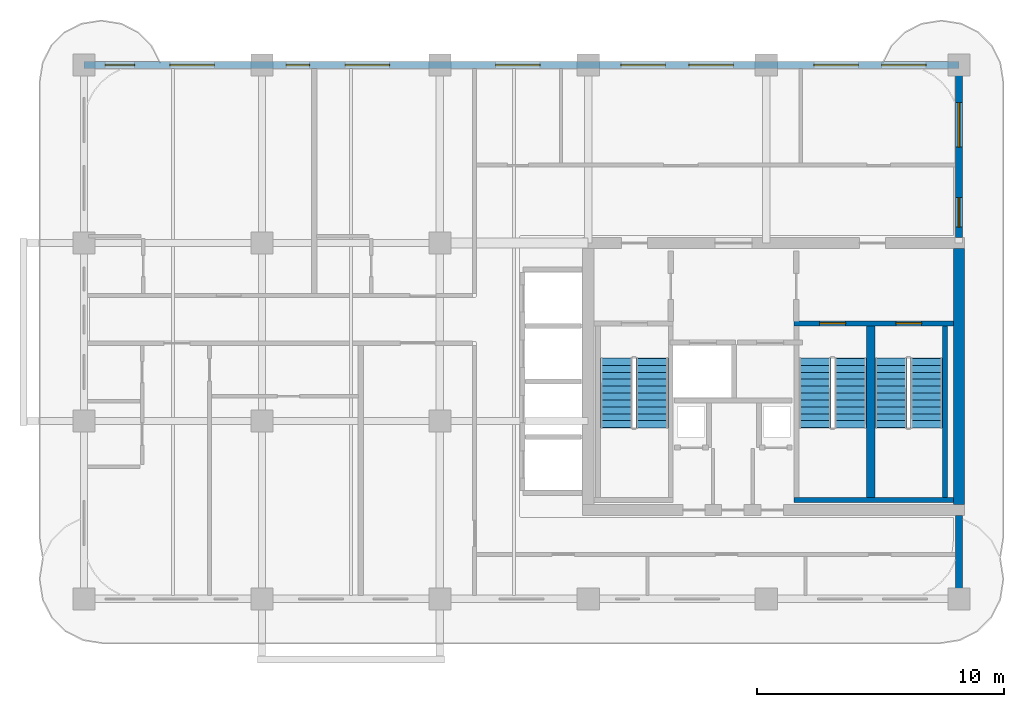
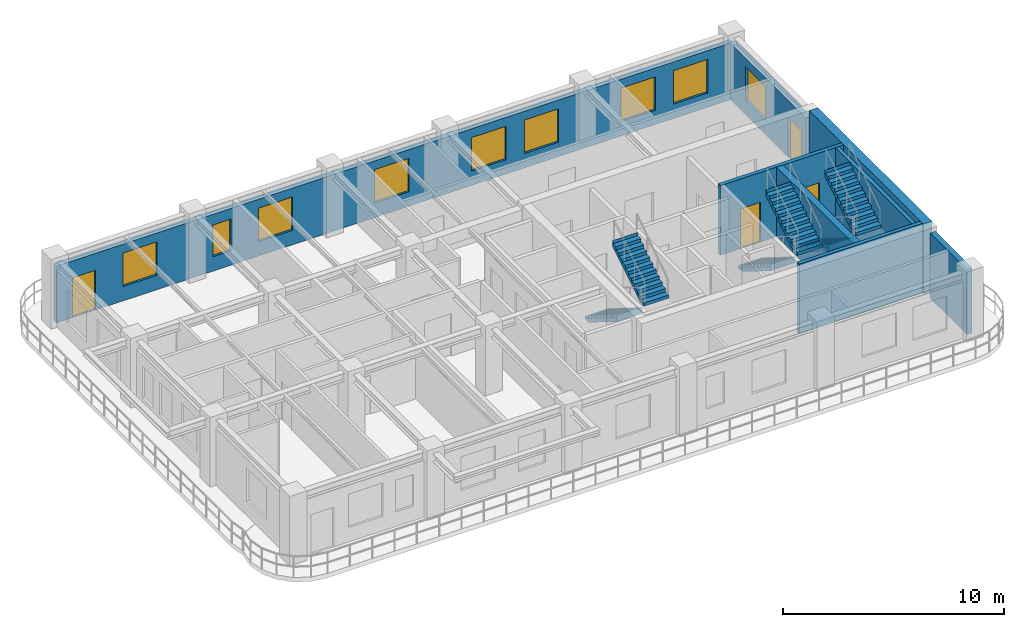
# One storey, part 5 of 7: 9 windows, 8 walls, 6 stair flights, 4 doors, 13 openings, 3 elements without a shape of their own.
"""IFC4 building model written with IfcOpenShell, lengths in metres."""

from ifc_helpers import new_model, si_unit, derived_unit, direction, frame, frame_2d, origin, place, context, subcontext, project, spatial, polyline, rectangle, outline, extrude, source, transform, mapped, material, layer, layer_set, type_object, type_shapes, element, fill, aggregate, save


model = new_model("IFC4")

# Units and contexts
model_context = context("Model", 3, precision=1e-05, world=origin(), true_north=direction((0.0, 1.0)))
body_context = subcontext(model_context, "Body", "Model", "MODEL_VIEW")
ifc_project = project(units=[si_unit("LENGTHUNIT", "METRE"), si_unit("AREAUNIT", "SQUARE_METRE"), si_unit("VOLUMEUNIT", "CUBIC_METRE"), si_unit("PLANEANGLEUNIT", "RADIAN"), si_unit("MASSUNIT", "GRAM", prefix="KILO"), si_unit("THERMODYNAMICTEMPERATUREUNIT", "KELVIN"), si_unit("POWERUNIT", "WATT"), derived_unit("THERMALTRANSMITTANCEUNIT", [(si_unit("POWERUNIT", "WATT"), 1), (si_unit("AREAUNIT", "SQUARE_METRE"), -1), (si_unit("THERMODYNAMICTEMPERATUREUNIT", "KELVIN"), -1)])], contexts=[model_context])

# Site, building, storey
site_placement = place(None, origin())
site = spatial("IfcSite", under=ifc_project, at=site_placement, CompositionType="ELEMENT")
building_placement = place(site_placement, origin())
building = spatial("IfcBuilding", under=site, at=building_placement, Name="Zahravan Archway Hotel and Residences", CompositionType="ELEMENT")
storey_placement = place(building_placement, frame((0.0, 0.0, 236.550048828125)))
storey = spatial("IfcBuildingStorey", under=building, at=storey_placement, Name="L59", CompositionType="ELEMENT", Elevation=236.550048828125)

# Walls
ifc_material_1 = material(Name="Concrete C50/60", Category="concrete")
ifc_layer_1 = layer(ifc_material_1, 0.449951171875, Name="Concrete C50/60", Category="concrete")
ifc_layer_set_1 = layer_set([ifc_layer_1], Name="Concrete C50/60")
wall_type_1 = type_object("IfcWallType", Name="CW-CORE-450", PredefinedType="SHEAR", material=ifc_layer_set_1)
wall_1_placement = place(storey_placement, frame((49.800048828125, 3.824951171875, 0.0), z_axis=(0.0, 0.0, 1.0), x_axis=(0.0, 1.0, 0.0)))
element("IfcWall", 1, at=wall_1_placement, inside=storey, type_object=wall_type_1, Name="L59 Core A Shear E Wall 450 mm", PredefinedType="SHEAR", context=body_context, shape_type="SweptSolid", body=[
    extrude(rectangle(XDim=10.35009765625, YDim=0.449951171875, at=frame_2d((5.175048828125, 0.0))), origin(), (0.0, 0.0, 1.0), 3.849853515625),
])
ifc_material_2 = material(Name="Honed Red-Ochre Sandstone & Insulated Block", Category="masonry")
ifc_layer_2 = layer(ifc_material_2, 0.280029296875, Name="Honed Red-Ochre Sandstone & Insulated Block", Category="masonry")
ifc_layer_set_2 = layer_set([ifc_layer_2], Name="Honed Red-Ochre Sandstone & Insulated Block")
wall_type_2 = type_object("IfcWallType", Name="EW-LOG-280", PredefinedType="SOLIDWALL", material=ifc_layer_set_2)
wall_2_placement = place(storey_placement, frame((49.800048828125, 0.050048828125, 0.0), z_axis=(0.0, 0.0, 1.0), x_axis=(0.0, 1.0, 0.0)))
element("IfcWall", 2, at=wall_2_placement, inside=storey, type_object=wall_type_2, Name="L59 Exterior Sandstone Wall WA-ES", PredefinedType="SOLIDWALL", context=body_context, shape_type="SweptSolid", body=[
    extrude(rectangle(XDim=3.329833984375, YDim=0.280029296875, at=frame_2d((1.6650390625, 0.0))), origin(), (0.0, 0.0, 1.0), 3.599853515625),
])

# Wall, openings, door, window
wall_3_placement = place(storey_placement, frame((49.800048828125, 14.6201171875, 0.0), z_axis=(0.0, 0.0, 1.0), x_axis=(0.0, 1.0, 0.0)))
wall_3 = element("IfcWall", 3, at=wall_3_placement, inside=storey, type_object=wall_type_2, Name="L59 Exterior Sandstone Wall WA-EN", PredefinedType="SOLIDWALL", context=body_context, shape_type="SweptSolid", body=[
    extrude(rectangle(XDim=6.929931640625, YDim=0.280029296875, at=frame_2d((3.46484375, 0.0))), origin(), (0.0, 0.0, 1.0), 3.135009765625),
])
opening_1_placement = place(wall_3_placement, frame((0.419921875, 0.0, 0.0)))
opening_1 = element("IfcOpeningElement", 4, at=opening_1_placement, cuts=wall_3, Name="Opening ED-BL1", PredefinedType="OPENING", context=body_context, shape_type="SweptSolid", body=[
    extrude(rectangle(XDim=1.199951171875, YDim=2.199951171875, at=frame_2d((0.60009765625, 1.10009765625))), frame((0.0, 0.14990234375, 0.0), z_axis=(0.0, -1.0, 0.0), x_axis=(1.0, 0.0, 0.0)), (0.0, 0.0, 1.0), 0.300048828125),
])
opening_2_placement = place(wall_3_placement, frame((3.658935546875, 0.0, 0.800048828125)))
opening_2 = element("IfcOpeningElement", 5, at=opening_2_placement, cuts=wall_3, Name="Opening W-02", PredefinedType="OPENING", context=body_context, shape_type="SweptSolid", body=[
    extrude(rectangle(XDim=1.800048828125, YDim=1.85009765625, at=frame_2d((0.89990234375, 0.925048828125))), frame((0.0, 0.14990234375, 0.0), z_axis=(0.0, -1.0, 0.0), x_axis=(1.0, 0.0, 0.0)), (0.0, 0.0, 1.0), 0.300048828125),
])
ifc_material_3 = material(Name="Bronze-Anodized Glazed Aluminium", Category="aluminium")
door_type_1 = type_object("IfcDoorType", Name="ED-BALC-1200", OperationType="SLIDING_TO_LEFT", PredefinedType="DOOR", material=ifc_material_3)
shared_shape_1 = source(origin(), body_context, "Body", "SweptSolid", [
    extrude(rectangle(XDim=1.199951171875, YDim=2.199951171875, at=frame_2d((0.60009765625, 1.10009765625))), frame((0.0, 0.02490234375, 0.0), z_axis=(0.0, -1.0, 0.0), x_axis=(1.0, 0.0, 0.0)), (0.0, 0.0, 1.0), 0.050048828125),
])
type_shapes(door_type_1, [shared_shape_1])
door_1_placement = place(opening_1_placement, origin())
door_1 = element("IfcDoor", 6, at=door_1_placement, inside=storey, type_object=door_type_1, Name="L59 Outdoor Access Sliding Door (SLB-BAL-L59-EA)", OperationType="SLIDING_TO_LEFT", OverallHeight=2.199951171875, OverallWidth=1.199951171875, PredefinedType="DOOR", context=body_context, shape_type="MappedRepresentation", body=[
    mapped(shared_shape_1, transform((0.0, 0.0, 0.0), scale=1.0)),
])
fill(opening_1, door_1)
ifc_material_4 = material(Name="Bronze-Anodized Thermal-Break Aluminium & Low-E Glass", Category="aluminium")
window_type_1 = type_object("IfcWindowType", Name="WIN-TWR-1800", PartitioningType="DOUBLE_PANEL_VERTICAL", PredefinedType="WINDOW", material=ifc_material_4)
shared_shape_2 = source(origin(), body_context, "Body", "SweptSolid", [
    extrude(rectangle(XDim=1.800048828125, YDim=1.85009765625, at=frame_2d((0.89990234375, 0.925048828125))), frame((0.0, 0.030029296875, 0.0), z_axis=(0.0, -1.0, 0.0), x_axis=(1.0, 0.0, 0.0)), (0.0, 0.0, 1.0), 0.06005859375),
])
type_shapes(window_type_1, [shared_shape_2])
window_1_placement = place(opening_2_placement, origin())
window_1 = element("IfcWindow", 7, at=window_1_placement, inside=storey, type_object=window_type_1, Name="L59 Loggia Window 10", OverallHeight=1.85009765625, OverallWidth=1.800048828125, PartitioningType="DOUBLE_PANEL_VERTICAL", PredefinedType="WINDOW", context=body_context, shape_type="MappedRepresentation", body=[
    mapped(shared_shape_2, transform((0.0, 0.0, 0.0), scale=1.0)),
])
fill(opening_2, window_1)

# Wall, openings, door, windows
wall_4_placement = place(storey_placement, frame((14.39990234375, 21.60009765625, 0.0), z_axis=(0.0, 0.0, 1.0), x_axis=(1.0, 0.0, 0.0)))
wall_4 = element("IfcWall", 8, at=wall_4_placement, inside=storey, type_object=wall_type_2, Name="L59 Exterior Sandstone Wall WA-N", PredefinedType="SOLIDWALL", context=body_context, shape_type="SweptSolid", body=[
    extrude(rectangle(XDim=35.400146484375, YDim=0.280029296875, at=frame_2d((17.7001953125, 0.0))), origin(), (0.0, 0.0, 1.0), 3.135009765625),
])
opening_3_placement = place(wall_4_placement, frame((0.85009765625, 0.0, 0.0)))
opening_3 = element("IfcOpeningElement", 9, at=opening_3_placement, cuts=wall_4, Name="Opening ED-BL1", PredefinedType="OPENING", context=body_context, shape_type="SweptSolid", body=[
    extrude(rectangle(XDim=1.199951171875, YDim=2.199951171875, at=frame_2d((0.60009765625, 1.10009765625))), frame((0.0, 0.14990234375, 0.0), z_axis=(0.0, -1.0, 0.0), x_axis=(1.0, 0.0, 0.0)), (0.0, 0.0, 1.0), 0.300048828125),
])
opening_4_placement = place(wall_4_placement, frame((3.47509765625, 0.0, 0.800048828125)))
opening_4 = element("IfcOpeningElement", 10, at=opening_4_placement, cuts=wall_4, Name="Opening W-02", PredefinedType="OPENING", context=body_context, shape_type="SweptSolid", body=[
    extrude(rectangle(XDim=1.800048828125, YDim=1.85009765625, at=frame_2d((0.89990234375, 0.925048828125))), frame((0.0, 0.14990234375, 0.0), z_axis=(0.0, -1.0, 0.0), x_axis=(1.0, 0.0, 0.0)), (0.0, 0.0, 1.0), 0.300048828125),
])
opening_5_placement = place(wall_4_placement, frame((8.180908203125, 0.0, 0.800048828125)))
opening_5 = element("IfcOpeningElement", 11, at=opening_5_placement, cuts=wall_4, Name="Opening W-04", PredefinedType="OPENING", context=body_context, shape_type="SweptSolid", body=[
    extrude(rectangle(XDim=0.949951171875, YDim=1.75, at=frame_2d((0.47509765625, 0.875))), frame((0.0, 0.14990234375, 0.0), z_axis=(0.0, -1.0, 0.0), x_axis=(1.0, 0.0, 0.0)), (0.0, 0.0, 1.0), 0.300048828125),
])
opening_6_placement = place(wall_4_placement, frame((10.56396484375, 0.0, 0.800048828125)))
opening_6 = element("IfcOpeningElement", 12, at=opening_6_placement, cuts=wall_4, Name="Opening W-02", PredefinedType="OPENING", context=body_context, shape_type="SweptSolid", body=[
    extrude(rectangle(XDim=1.800048828125, YDim=1.85009765625, at=frame_2d((0.89990234375, 0.925048828125))), frame((0.0, 0.14990234375, 0.0), z_axis=(0.0, -1.0, 0.0), x_axis=(1.0, 0.0, 0.0)), (0.0, 0.0, 1.0), 0.300048828125),
])
opening_7_placement = place(wall_4_placement, frame((16.65087890625, 0.0, 0.800048828125)))
opening_7 = element("IfcOpeningElement", 13, at=opening_7_placement, cuts=wall_4, Name="Opening W-02", PredefinedType="OPENING", context=body_context, shape_type="SweptSolid", body=[
    extrude(rectangle(XDim=1.800048828125, YDim=1.85009765625, at=frame_2d((0.89990234375, 0.925048828125))), frame((0.0, 0.14990234375, 0.0), z_axis=(0.0, -1.0, 0.0), x_axis=(1.0, 0.0, 0.0)), (0.0, 0.0, 1.0), 0.300048828125),
])
opening_8_placement = place(wall_4_placement, frame((21.72509765625, 0.0, 0.800048828125)))
opening_8 = element("IfcOpeningElement", 14, at=opening_8_placement, cuts=wall_4, Name="Opening W-02", PredefinedType="OPENING", context=body_context, shape_type="SweptSolid", body=[
    extrude(rectangle(XDim=1.800048828125, YDim=1.85009765625, at=frame_2d((0.89990234375, 0.925048828125))), frame((0.0, 0.14990234375, 0.0), z_axis=(0.0, -1.0, 0.0), x_axis=(1.0, 0.0, 0.0)), (0.0, 0.0, 1.0), 0.300048828125),
])
opening_9_placement = place(wall_4_placement, frame((24.47509765625, 0.0, 0.800048828125)))
opening_9 = element("IfcOpeningElement", 15, at=opening_9_placement, cuts=wall_4, Name="Opening W-02", PredefinedType="OPENING", context=body_context, shape_type="SweptSolid", body=[
    extrude(rectangle(XDim=1.800048828125, YDim=1.85009765625, at=frame_2d((0.89990234375, 0.925048828125))), frame((0.0, 0.14990234375, 0.0), z_axis=(0.0, -1.0, 0.0), x_axis=(1.0, 0.0, 0.0)), (0.0, 0.0, 1.0), 0.300048828125),
])
opening_10_placement = place(wall_4_placement, frame((29.531005859375, 0.0, 0.800048828125)))
opening_10 = element("IfcOpeningElement", 16, at=opening_10_placement, cuts=wall_4, Name="Opening W-02", PredefinedType="OPENING", context=body_context, shape_type="SweptSolid", body=[
    extrude(rectangle(XDim=1.800048828125, YDim=1.85009765625, at=frame_2d((0.89990234375, 0.925048828125))), frame((0.0, 0.14990234375, 0.0), z_axis=(0.0, -1.0, 0.0), x_axis=(1.0, 0.0, 0.0)), (0.0, 0.0, 1.0), 0.300048828125),
])
opening_11_placement = place(wall_4_placement, frame((32.277099609375, 0.0, 0.800048828125)))
opening_11 = element("IfcOpeningElement", 17, at=opening_11_placement, cuts=wall_4, Name="Opening W-02", PredefinedType="OPENING", context=body_context, shape_type="SweptSolid", body=[
    extrude(rectangle(XDim=1.800048828125, YDim=1.85009765625, at=frame_2d((0.89990234375, 0.925048828125))), frame((0.0, 0.14990234375, 0.0), z_axis=(0.0, -1.0, 0.0), x_axis=(1.0, 0.0, 0.0)), (0.0, 0.0, 1.0), 0.300048828125),
])
door_2_placement = place(opening_3_placement, origin())
door_2 = element("IfcDoor", 18, at=door_2_placement, inside=storey, type_object=door_type_1, Name="L59 Outdoor Access Sliding Door (SLB-BAL-L59-WA)", OperationType="SLIDING_TO_LEFT", OverallHeight=2.199951171875, OverallWidth=1.199951171875, PredefinedType="DOOR", context=body_context, shape_type="MappedRepresentation", body=[
    mapped(shared_shape_1, transform((0.0, 0.0, 0.0), scale=1.0)),
])
fill(opening_3, door_2)
window_type_2 = type_object("IfcWindowType", Name="WIN-NAR-950", PartitioningType="SINGLE_PANEL", PredefinedType="WINDOW", material=ifc_material_4)
shared_shape_3 = source(origin(), body_context, "Body", "SweptSolid", [
    extrude(rectangle(XDim=0.949951171875, YDim=1.75, at=frame_2d((0.47509765625, 0.875))), frame((0.0, 0.030029296875, 0.0), z_axis=(0.0, -1.0, 0.0), x_axis=(1.0, 0.0, 0.0)), (0.0, 0.0, 1.0), 0.06005859375),
])
type_shapes(window_type_2, [shared_shape_3])
window_2_placement = place(opening_5_placement, origin())
window_2 = element("IfcWindow", 19, at=window_2_placement, inside=storey, type_object=window_type_2, Name="L59 Loggia Window 12", OverallHeight=1.75, OverallWidth=0.949951171875, PartitioningType="SINGLE_PANEL", PredefinedType="WINDOW", context=body_context, shape_type="MappedRepresentation", body=[
    mapped(shared_shape_3, transform((0.0, 0.0, 0.0), scale=1.0)),
])
fill(opening_5, window_2)
window_3_placement = place(opening_4_placement, origin())
window_3 = element("IfcWindow", 20, at=window_3_placement, inside=storey, type_object=window_type_1, Name="L59 Loggia Window 11", OverallHeight=1.85009765625, OverallWidth=1.800048828125, PartitioningType="DOUBLE_PANEL_VERTICAL", PredefinedType="WINDOW", context=body_context, shape_type="MappedRepresentation", body=[
    mapped(shared_shape_2, transform((0.0, 0.0, 0.0), scale=1.0)),
])
fill(opening_4, window_3)
window_4_placement = place(opening_6_placement, origin())
window_4 = element("IfcWindow", 21, at=window_4_placement, inside=storey, type_object=window_type_1, Name="L59 Loggia Window 13", OverallHeight=1.85009765625, OverallWidth=1.800048828125, PartitioningType="DOUBLE_PANEL_VERTICAL", PredefinedType="WINDOW", context=body_context, shape_type="MappedRepresentation", body=[
    mapped(shared_shape_2, transform((0.0, 0.0, 0.0), scale=1.0)),
])
fill(opening_6, window_4)
window_5_placement = place(opening_7_placement, origin())
window_5 = element("IfcWindow", 22, at=window_5_placement, inside=storey, type_object=window_type_1, Name="L59 Loggia Window 14", OverallHeight=1.85009765625, OverallWidth=1.800048828125, PartitioningType="DOUBLE_PANEL_VERTICAL", PredefinedType="WINDOW", context=body_context, shape_type="MappedRepresentation", body=[
    mapped(shared_shape_2, transform((0.0, 0.0, 0.0), scale=1.0)),
])
fill(opening_7, window_5)
window_6_placement = place(opening_8_placement, origin())
window_6 = element("IfcWindow", 23, at=window_6_placement, inside=storey, type_object=window_type_1, Name="L59 Loggia Window 15", OverallHeight=1.85009765625, OverallWidth=1.800048828125, PartitioningType="DOUBLE_PANEL_VERTICAL", PredefinedType="WINDOW", context=body_context, shape_type="MappedRepresentation", body=[
    mapped(shared_shape_2, transform((0.0, 0.0, 0.0), scale=1.0)),
])
fill(opening_8, window_6)
window_7_placement = place(opening_9_placement, origin())
window_7 = element("IfcWindow", 24, at=window_7_placement, inside=storey, type_object=window_type_1, Name="L59 Loggia Window 16", OverallHeight=1.85009765625, OverallWidth=1.800048828125, PartitioningType="DOUBLE_PANEL_VERTICAL", PredefinedType="WINDOW", context=body_context, shape_type="MappedRepresentation", body=[
    mapped(shared_shape_2, transform((0.0, 0.0, 0.0), scale=1.0)),
])
fill(opening_9, window_7)
window_8_placement = place(opening_10_placement, origin())
window_8 = element("IfcWindow", 25, at=window_8_placement, inside=storey, type_object=window_type_1, Name="L59 Loggia Window 17", OverallHeight=1.85009765625, OverallWidth=1.800048828125, PartitioningType="DOUBLE_PANEL_VERTICAL", PredefinedType="WINDOW", context=body_context, shape_type="MappedRepresentation", body=[
    mapped(shared_shape_2, transform((0.0, 0.0, 0.0), scale=1.0)),
])
fill(opening_10, window_8)
window_9_placement = place(opening_11_placement, origin())
window_9 = element("IfcWindow", 26, at=window_9_placement, inside=storey, type_object=window_type_1, Name="L59 Loggia Window 18", OverallHeight=1.85009765625, OverallWidth=1.800048828125, PartitioningType="DOUBLE_PANEL_VERTICAL", PredefinedType="WINDOW", context=body_context, shape_type="MappedRepresentation", body=[
    mapped(shared_shape_2, transform((0.0, 0.0, 0.0), scale=1.0)),
])
fill(opening_11, window_9)

# Walls
ifc_layer_3 = layer(ifc_material_1, 0.199951171875, Name="Concrete C50/60", Category="concrete")
ifc_layer_set_3 = layer_set([ifc_layer_3], Name="Concrete C50/60")
wall_type_3 = type_object("IfcWallType", Name="SW-STAIR-200", PredefinedType="SHEAR", material=ifc_layer_set_3)
wall_5_placement = place(storey_placement, frame((43.1201171875, 4.0, 0.0), z_axis=(0.0, 0.0, 1.0), x_axis=(1.0, 0.0, 0.0)))
element("IfcWall", 27, at=wall_5_placement, inside=storey, type_object=wall_type_3, Name="L59 Stairwell RC Wall CA-SA23S", PredefinedType="SHEAR", context=body_context, shape_type="SweptSolid", body=[
    extrude(rectangle(XDim=6.454833984375, YDim=0.199951171875, at=frame_2d((3.2275390625, 0.0))), origin(), (0.0, 0.0, 1.0), 3.849853515625),
])
wall_6_placement = place(storey_placement, frame((49.239990234375, 4.10009765625, 0.0), z_axis=(0.0, 0.0, 1.0), x_axis=(0.0, 1.0, 0.0)))
element("IfcWall", 28, at=wall_6_placement, inside=storey, type_object=wall_type_3, Name="L59 Stairwell RC Wall CA-SA3E", PredefinedType="SHEAR", context=body_context, shape_type="SweptSolid", body=[
    extrude(rectangle(XDim=6.949951171875, YDim=0.199951171875, at=frame_2d((3.47509765625, 0.0))), origin(), (0.0, 0.0, 1.0), 3.849853515625),
])

# Wall, openings, doors
wall_7_placement = place(storey_placement, frame((43.1201171875, 11.14990234375, 0.0), z_axis=(0.0, 0.0, 1.0), x_axis=(1.0, 0.0, 0.0)))
wall_7 = element("IfcWall", 29, at=wall_7_placement, inside=storey, type_object=wall_type_3, Name="L59 Stairwell RC Wall CA-SA23N", PredefinedType="SHEAR", context=body_context, shape_type="SweptSolid", body=[
    extrude(rectangle(XDim=6.454833984375, YDim=0.199951171875, at=frame_2d((3.2275390625, 0.0))), origin(), (0.0, 0.0, 1.0), 3.849853515625),
])
opening_12_placement = place(wall_7_placement, frame((1.044921875, 0.0, 0.0)))
opening_12 = element("IfcOpeningElement", 30, at=opening_12_placement, cuts=wall_7, Name="Opening FD-S1", PredefinedType="OPENING", context=body_context, shape_type="SweptSolid", body=[
    extrude(rectangle(XDim=1.050048828125, YDim=2.199951171875, at=frame_2d((0.52490234375, 1.10009765625))), frame((0.0, 0.10986328125, 0.0), z_axis=(0.0, -1.0, 0.0), x_axis=(1.0, 0.0, 0.0)), (0.0, 0.0, 1.0), 0.219970703125),
])
opening_13_placement = place(wall_7_placement, frame((4.125, 0.0, 0.0)))
opening_13 = element("IfcOpeningElement", 31, at=opening_13_placement, cuts=wall_7, Name="Opening FD-S1", PredefinedType="OPENING", context=body_context, shape_type="SweptSolid", body=[
    extrude(rectangle(XDim=1.050048828125, YDim=2.199951171875, at=frame_2d((0.52490234375, 1.10009765625))), frame((0.0, 0.10986328125, 0.0), z_axis=(0.0, -1.0, 0.0), x_axis=(1.0, 0.0, 0.0)), (0.0, 0.0, 1.0), 0.219970703125),
])
ifc_material_5 = material(Name="Fire-Rated Painted Steel", Category="steel")
door_type_2 = type_object("IfcDoorType", Name="FD-STAIR-1100", OperationType="NOTDEFINED", PredefinedType="DOOR", material=ifc_material_5)
shared_shape_4 = source(origin(), body_context, "Body", "SweptSolid", [
    extrude(rectangle(XDim=1.050048828125, YDim=2.199951171875, at=frame_2d((0.52490234375, 1.10009765625))), frame((0.0, 0.02490234375, 0.0), z_axis=(0.0, -1.0, 0.0), x_axis=(1.0, 0.0, 0.0)), (0.0, 0.0, 1.0), 0.050048828125),
])
type_shapes(door_type_2, [shared_shape_4])
door_3_placement = place(opening_12_placement, origin())
door_3 = element("IfcDoor", 32, at=door_3_placement, inside=storey, type_object=door_type_2, Name="L59 Stair ST-A2 Door", OperationType="SINGLE_SWING_LEFT", OverallHeight=2.199951171875, OverallWidth=1.050048828125, PredefinedType="DOOR", context=body_context, shape_type="MappedRepresentation", body=[
    mapped(shared_shape_4, transform((0.0, 0.0, 0.0), scale=1.0)),
])
fill(opening_12, door_3)
door_4_placement = place(opening_13_placement, origin())
door_4 = element("IfcDoor", 33, at=door_4_placement, inside=storey, type_object=door_type_2, Name="L59 Stair ST-A3 Door", OperationType="SINGLE_SWING_RIGHT", OverallHeight=2.199951171875, OverallWidth=1.050048828125, PredefinedType="DOOR", context=body_context, shape_type="MappedRepresentation", body=[
    mapped(shared_shape_4, transform((0.0, 0.0, 0.0), scale=1.0)),
])
fill(opening_13, door_4)

# Wall
ifc_layer_4 = layer(ifc_material_1, 0.340087890625, Name="Concrete C50/60", Category="concrete")
ifc_layer_set_4 = layer_set([ifc_layer_4], Name="Concrete C50/60")
wall_type_4 = type_object("IfcWallType", Name="SW-STAIR-340", PredefinedType="SHEAR", material=ifc_layer_set_4)
wall_8_placement = place(storey_placement, frame((46.22998046875, 4.10009765625, 0.0), z_axis=(0.0, 0.0, 1.0), x_axis=(0.0, 1.0, 0.0)))
element("IfcWall", 34, at=wall_8_placement, inside=storey, type_object=wall_type_4, Name="L59 Stairwell RC Wall CA-SA23M", PredefinedType="SHEAR", context=body_context, shape_type="SweptSolid", body=[
    extrude(rectangle(XDim=6.949951171875, YDim=0.340087890625, at=frame_2d((3.47509765625, 0.0))), origin(), (0.0, 0.0, 1.0), 3.849853515625),
])

# Stair, stair flights
stair_type = type_object("IfcStairType", Name="STR-CORE-1300", PredefinedType="HALF_TURN_STAIR", material=ifc_material_1)
stair_1_placement = place(storey_placement, origin())
stair_1 = element("IfcStair", 35, at=stair_1_placement, inside=storey, type_object=stair_type, Name="L59 Core A Exit Stair 1", PredefinedType="HALF_TURN_STAIR")
ifc_layer_5 = layer(ifc_material_1, 0.199951171875, Name="Concrete C50/60", Category="concrete")
ifc_layer_set_5 = layer_set([ifc_layer_5], Name="Concrete C50/60")
stair_flight_type = type_object("IfcStairFlightType", Name="SFL-CORE-1300", PredefinedType="STRAIGHT", material=ifc_layer_set_5)
shared_shape_5 = source(origin(), body_context, "Body", "SweptSolid", [
    extrude(outline(polyline([(-0.01611328125, 0.0), (-0.01611328125, 0.175048828125), (0.280029296875, 0.175048828125), (0.280029296875, 0.35009765625), (0.56005859375, 0.35009765625), (0.56005859375, 0.52490234375), (0.840087890625, 0.52490234375), (0.840087890625, 0.699951171875), (1.1201171875, 0.699951171875), (1.1201171875, 0.875), (1.39990234375, 0.875), (1.39990234375, 1.050048828125), (1.679931640625, 1.050048828125), (1.679931640625, 1.22509765625), (1.9599609375, 1.22509765625), (1.9599609375, 1.39990234375), (2.239990234375, 1.39990234375), (2.239990234375, 1.574951171875), (2.52001953125, 1.574951171875), (2.52001953125, 1.75), (2.800048828125, 1.75), (2.800048828125, 1.925048828125), (2.816162109375, 1.925048828125), (2.816162109375, 1.5732421875), (0.28271484375, 0.0), (-0.01611328125, 0.0)])), frame((0.0, 0.64990234375, 0.0), z_axis=(0.0, -1.0, 0.0), x_axis=(1.0, 0.0, 0.0)), (0.0, 0.0, 1.0), 1.300048828125),
])
stair_flight_1_placement = place(storey_placement, frame((35.949951171875, 9.72998046875, 0.0), z_axis=(0.0, 0.0, 1.0), x_axis=(0.0, -1.0, 0.0)))
stair_flight_1 = element("IfcStairFlight", 36, at=stair_flight_1_placement, type_object=stair_flight_type, Name="ST-A1 flight 1", NumberOfRisers=11, NumberOfTreads=10, PredefinedType="STRAIGHT", RiserHeight=0.175, TreadLength=0.28, context=body_context, shape_type="MappedRepresentation", body=[
    mapped(shared_shape_5, transform((0.0, 0.0, 0.0), scale=1.0)),
])
stair_flight_2_placement = place(storey_placement, frame((37.389892578125, 6.929931640625, 1.925048828125), z_axis=(0.0, 0.0, 1.0), x_axis=(0.0, 1.0, 0.0)))
stair_flight_2 = element("IfcStairFlight", 37, at=stair_flight_2_placement, type_object=stair_flight_type, Name="ST-A1 flight 2", NumberOfRisers=11, NumberOfTreads=10, PredefinedType="STRAIGHT", RiserHeight=0.175, TreadLength=0.28, context=body_context, shape_type="MappedRepresentation", body=[
    mapped(shared_shape_5, transform((0.0, 0.0, 0.0), scale=1.0)),
])
aggregate(stair_1, [stair_flight_1, stair_flight_2])

stair_2_placement = place(storey_placement, origin())
stair_2 = element("IfcStair", 38, at=stair_2_placement, inside=storey, type_object=stair_type, Name="L59 Core A Exit Stair 2", PredefinedType="HALF_TURN_STAIR")
stair_flight_3_placement = place(storey_placement, frame((43.969970703125, 9.72998046875, 0.0), z_axis=(0.0, 0.0, 1.0), x_axis=(0.0, -1.0, 0.0)))
stair_flight_3 = element("IfcStairFlight", 39, at=stair_flight_3_placement, type_object=stair_flight_type, Name="ST-A2 flight 1", NumberOfRisers=11, NumberOfTreads=10, PredefinedType="STRAIGHT", RiserHeight=0.175, TreadLength=0.28, context=body_context, shape_type="MappedRepresentation", body=[
    mapped(shared_shape_5, transform((0.0, 0.0, 0.0), scale=1.0)),
])
stair_flight_4_placement = place(storey_placement, frame((45.409912109375, 6.929931640625, 1.925048828125), z_axis=(0.0, 0.0, 1.0), x_axis=(0.0, 1.0, 0.0)))
stair_flight_4 = element("IfcStairFlight", 40, at=stair_flight_4_placement, type_object=stair_flight_type, Name="ST-A2 flight 2", NumberOfRisers=11, NumberOfTreads=10, PredefinedType="STRAIGHT", RiserHeight=0.175, TreadLength=0.28, context=body_context, shape_type="MappedRepresentation", body=[
    mapped(shared_shape_5, transform((0.0, 0.0, 0.0), scale=1.0)),
])
aggregate(stair_2, [stair_flight_3, stair_flight_4])

stair_3_placement = place(storey_placement, origin())
stair_3 = element("IfcStair", 41, at=stair_3_placement, inside=storey, type_object=stair_type, Name="L59 Core A Exit Stair 3", PredefinedType="HALF_TURN_STAIR")
stair_flight_5_placement = place(storey_placement, frame((47.050048828125, 9.72998046875, 0.0), z_axis=(0.0, 0.0, 1.0), x_axis=(0.0, -1.0, 0.0)))
stair_flight_5 = element("IfcStairFlight", 42, at=stair_flight_5_placement, type_object=stair_flight_type, Name="ST-A3 flight 1", NumberOfRisers=11, NumberOfTreads=10, PredefinedType="STRAIGHT", RiserHeight=0.175, TreadLength=0.28, context=body_context, shape_type="MappedRepresentation", body=[
    mapped(shared_shape_5, transform((0.0, 0.0, 0.0), scale=1.0)),
])
stair_flight_6_placement = place(storey_placement, frame((48.489990234375, 6.929931640625, 1.925048828125), z_axis=(0.0, 0.0, 1.0), x_axis=(0.0, 1.0, 0.0)))
stair_flight_6 = element("IfcStairFlight", 43, at=stair_flight_6_placement, type_object=stair_flight_type, Name="ST-A3 flight 2", NumberOfRisers=11, NumberOfTreads=10, PredefinedType="STRAIGHT", RiserHeight=0.175, TreadLength=0.28, context=body_context, shape_type="MappedRepresentation", body=[
    mapped(shared_shape_5, transform((0.0, 0.0, 0.0), scale=1.0)),
])
aggregate(stair_3, [stair_flight_5, stair_flight_6])

save(model, "model.ifc")
